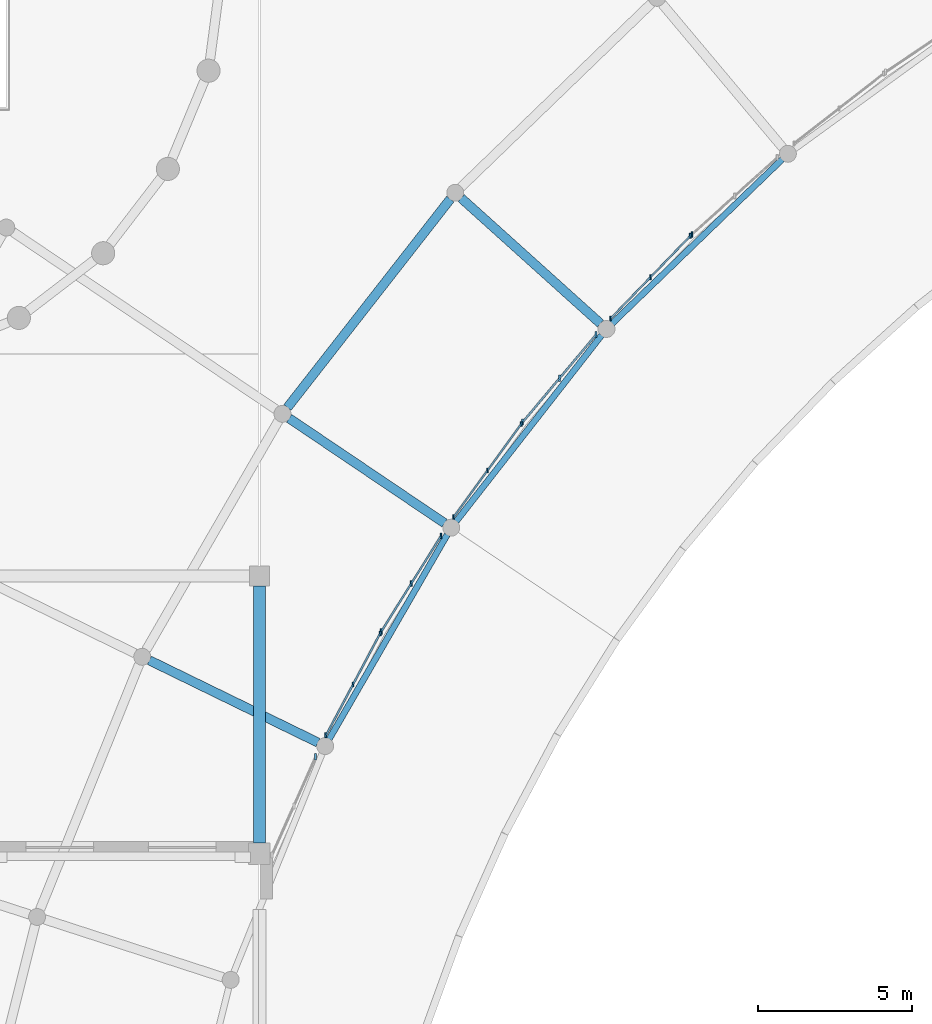
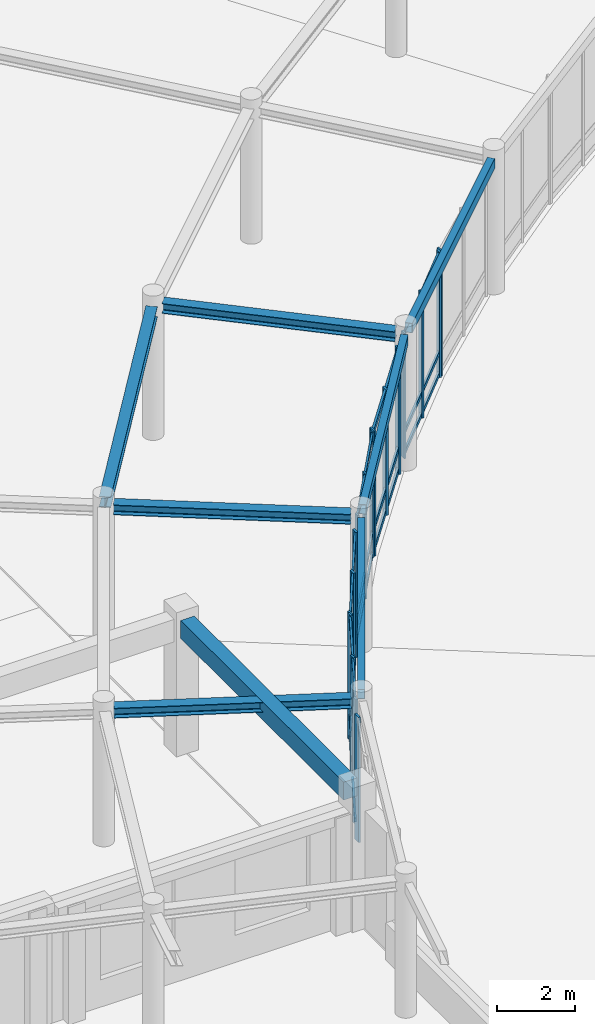
# One storey, part 8 of 62: 47 members, 8 beams, 7 elements without a shape of their own.
"""IFC4 building model written with IfcOpenShell, lengths in metres."""

from ifc_helpers import new_model, si_unit, direction, frame, origin, origin_2d, place, context, subcontext, project, spatial, rectangle, hollow_rectangle, i_section, extrude, material, material_profile, profile_set, type_object, element, aggregate, save


model = new_model("IFC4")

# Units and contexts
model_context = context("Model", 3, precision=1e-05, world=origin(), true_north=direction((0.0, 1.0)))
body_context = subcontext(model_context, "Body", "Model", "MODEL_VIEW")
ifc_project = project(units=[si_unit("LENGTHUNIT", "METRE"), si_unit("AREAUNIT", "SQUARE_METRE"), si_unit("VOLUMEUNIT", "CUBIC_METRE"), si_unit("PLANEANGLEUNIT", "RADIAN"), si_unit("MASSUNIT", "GRAM", prefix="KILO")], contexts=[model_context])

# Site, building, storey
site_placement = place(None, origin())
site = spatial("IfcSite", under=ifc_project, at=site_placement, CompositionType="ELEMENT")
building_placement = place(site_placement, origin())
building = spatial("IfcBuilding", under=site, at=building_placement, Name="Clarverna Civic Hall", CompositionType="ELEMENT")
storey_placement = place(building_placement, frame((0.0, 0.0, 5.10009765625)))
storey = spatial("IfcBuildingStorey", under=building, at=storey_placement, Name="L01", CompositionType="ELEMENT", Elevation=5.10009765625)

# Beams
ifc_material_1 = material(Name="Concrete C35/45", Category="concrete")
ifc_material_profile_1 = material_profile(ifc_material_1, rectangle(XDim=0.39990234375, YDim=0.56005859375, at=origin_2d()), Name="RC 400x560")
ifc_profile_set_1 = profile_set([ifc_material_profile_1], Name="Concrete C35/45")
beam_type_1 = type_object("IfcBeamType", Name="B-SP4", PredefinedType="SPANDREL", material=ifc_profile_set_1)
beam_1_placement = place(storey_placement, frame((97.199951171875, 30.550048828125, 3.93994140625), z_axis=(0.0, 1.0, 0.0), x_axis=(-1.0, 0.0, 0.0)))
element("IfcBeam", 1, at=beam_1_placement, inside=storey, type_object=beam_type_1, Name="B-SP4-076", PredefinedType="SPANDREL", context=body_context, shape_type="SweptSolid", body=[
    extrude(rectangle(XDim=0.39990234375, YDim=0.56005859375, at=origin_2d()), origin(), (0.0, 0.0, 1.0), 8.324951171875),
])
ifc_material_2 = material(Name="Steel S355", Category="steel")
ifc_material_profile_2 = material_profile(ifc_material_2, hollow_rectangle(XDim=0.199951171875, YDim=0.300048828125, WallThickness=0.010009765625, at=origin_2d()), Name="RHS 300x200x10.0")
ifc_profile_set_2 = profile_set([ifc_material_profile_2], Name="Steel S355")
beam_type_2 = type_object("IfcBeamType", Name="B-ST15", PredefinedType="SPANDREL", material=ifc_profile_set_2)
beam_2_placement = place(storey_placement, frame((114.1455078125, 52.709716796875, 4.10986328125), z_axis=(-0.719325075753, -0.69467361789, 0.0), x_axis=(0.69467361789, -0.719325075753, 0.0)))
element("IfcBeam", 2, at=beam_2_placement, inside=storey, type_object=beam_type_2, Name="B-ST15-014", PredefinedType="SPANDREL", context=body_context, shape_type="SweptSolid", body=[
    extrude(hollow_rectangle(XDim=0.199951171875, YDim=0.300048828125, WallThickness=0.010009765625, at=origin_2d()), origin(), (0.0, 0.0, 1.0), 7.655517578125),
])
for number, where, z_axis, x_axis, name in (
    (3, (108.29150390625, 47.006103515625, 4.10986328125), (-0.615645898639, -0.7880229232, 0.0), (0.7880229232, -0.615645898639, 0.0), "B-ST15-015"),
    (4, (103.288330078125, 40.54345703125, 4.06982421875), (-0.500001278231, -0.866024665796, 0.0), (0.866024665796, -0.500001278231, 0.0), "B-ST15-016"),
):
    element("IfcBeam", number, at=place(storey_placement, frame(where, z_axis=z_axis, x_axis=x_axis)), inside=storey, type_object=beam_type_2, Name=name, PredefinedType="SPANDREL", context=body_context, shape_type="SweptSolid", body=[
        extrude(hollow_rectangle(XDim=0.199951171875, YDim=0.300048828125, WallThickness=0.010009765625, at=origin_2d()), origin(), (0.0, 0.0, 1.0), 7.6552734375),
    ])
ifc_material_profile_3 = material_profile(ifc_material_2, i_section(OverallWidth=0.300048828125, OverallDepth=0.330078125, WebThickness=0.009521484375, FlangeThickness=0.0166015625, FilletRadius=0.027099609375, at=origin_2d()), Name="HEA 340")
ifc_profile_set_3 = profile_set([ifc_material_profile_3], Name="Steel S355")
beam_type_3 = type_object("IfcBeamType", Name="B-ST8", PredefinedType="BEAM", material=ifc_profile_set_3)
beam_3_placement = place(storey_placement, frame((103.386962890625, 51.42236328125, 4.014892578125), z_axis=(-0.615665586545, -0.788007541553, 0.0), x_axis=(0.788007541553, -0.615665586545, 0.0)))
element("IfcBeam", 5, at=beam_3_placement, inside=storey, type_object=beam_type_3, Name="B-ST8-063", PredefinedType="BEAM", context=body_context, shape_type="SweptSolid", body=[
    extrude(i_section(OverallWidth=0.300048828125, OverallDepth=0.330078125, WebThickness=0.009521484375, FlangeThickness=0.0166015625, FilletRadius=0.027099609375, at=origin_2d()), origin(), (0.0, 0.0, 1.0), 8.576171875),
])
ifc_material_profile_4 = material_profile(ifc_material_2, i_section(OverallWidth=0.300048828125, OverallDepth=0.31005859375, WebThickness=0.009033203125, FlangeThickness=0.015380859375, FilletRadius=0.027099609375, at=origin_2d()), Name="HEA 320")
ifc_profile_set_4 = profile_set([ifc_material_profile_4], Name="Steel S355")
beam_type_4 = type_object("IfcBeamType", Name="B-ST9", PredefinedType="BEAM", material=ifc_profile_set_4)
for number, where, z_axis, x_axis, name in (
    (6, (108.258544921875, 47.385009765625, 4.06494140625), (-0.74314038569, 0.66913553721, 0.0), (-0.66913553721, -0.74314038569, 0.0), "B-ST9-066"),
    (7, (103.202880859375, 40.9140625, 4.06494140625), (-0.829035763851, 0.559195584975, 0.0), (-0.559195584975, -0.829035763851, 0.0), "B-ST9-067"),
):
    element("IfcBeam", number, at=place(storey_placement, frame(where, z_axis=z_axis, x_axis=x_axis)), inside=storey, type_object=beam_type_4, Name=name, PredefinedType="BEAM", context=body_context, shape_type="SweptSolid", body=[
        extrude(i_section(OverallWidth=0.300048828125, OverallDepth=0.31005859375, WebThickness=0.009033203125, FlangeThickness=0.015380859375, FilletRadius=0.027099609375, at=origin_2d()), origin(), (0.0, 0.0, 1.0), 6.080078125),
    ])
beam_4_placement = place(storey_placement, frame((99.096923828125, 33.802490234375, 4.06494140625), z_axis=(-0.898792757328, 0.438373789561, 0.0), x_axis=(-0.438373789561, -0.898792757328, 0.0)))
element("IfcBeam", 8, at=beam_4_placement, inside=storey, type_object=beam_type_4, Name="B-ST9-069", PredefinedType="BEAM", context=body_context, shape_type="SweptSolid", body=[
    extrude(i_section(OverallWidth=0.300048828125, OverallDepth=0.31005859375, WebThickness=0.009033203125, FlangeThickness=0.015380859375, FilletRadius=0.027099609375, at=origin_2d()), origin(), (0.0, 0.0, 1.0), 6.079833984375),
])

# Curtain wall, member
ifc_material_3 = material(Name="Anodised Bronze Architectural Aluminium", Category="aluminium")
curtain_wall_type = type_object("IfcCurtainWallType", Name="CW-03", PredefinedType="USERDEFINED", material=ifc_material_3)
curtain_wall_1_placement = place(storey_placement, origin())
curtain_wall_1 = element("IfcCurtainWall", 9, at=curtain_wall_1_placement, inside=storey, type_object=curtain_wall_type, Name="CW-03-041", ObjectType="UNITISED CURTAIN WALL", PredefinedType="USERDEFINED")
ifc_material_profile_5 = material_profile(ifc_material_3, rectangle(XDim=0.06005859375, YDim=0.179931640625, at=origin_2d()), Name="BRONZE 60x180")
ifc_profile_set_5 = profile_set([ifc_material_profile_5], Name="Anodised Bronze Architectural Aluminium")
member_type_1 = type_object("IfcMemberType", Name="CWM-01", PredefinedType="MULLION", material=ifc_profile_set_5)
member_1_placement = place(storey_placement, frame((111.223876953125, 50.279296875, 0.0), z_axis=(0.0, 0.0, 1.0), x_axis=(1.0, 0.0, 0.0)))
member_1 = element("IfcMember", 10, at=member_1_placement, type_object=member_type_1, Name="CWM-01-055", PredefinedType="MULLION", context=body_context, shape_type="SweptSolid", body=[
    extrude(rectangle(XDim=0.06005859375, YDim=0.179931640625, at=origin_2d()), origin(), (0.0, 0.0, 1.0), 3.909912109375),
])
aggregate(curtain_wall_1, [member_1])

# Curtain wall, members
curtain_wall_2_placement = place(storey_placement, origin())
curtain_wall_2 = element("IfcCurtainWall", 11, at=curtain_wall_2_placement, inside=storey, type_object=curtain_wall_type, Name="CW-03-045", ObjectType="UNITISED CURTAIN WALL", PredefinedType="USERDEFINED")
member_2_placement = place(storey_placement, frame((103.0859375, 40.500732421875, 0.0), z_axis=(0.0, 0.0, 1.0), x_axis=(1.0, 0.0, 0.0)))
member_2 = element("IfcMember", 12, at=member_2_placement, type_object=member_type_1, Name="CWM-01-056", PredefinedType="MULLION", context=body_context, shape_type="SweptSolid", body=[
    extrude(rectangle(XDim=0.06005859375, YDim=0.179931640625, at=origin_2d()), origin(), (0.0, 0.0, 1.0), 3.909912109375),
])
member_3_placement = place(storey_placement, frame((102.117919921875, 38.951416015625, 0.0), z_axis=(0.0, 0.0, 1.0), x_axis=(1.0, 0.0, 0.0)))
member_3 = element("IfcMember", 13, at=member_3_placement, type_object=member_type_1, Name="CWM-01-057", PredefinedType="MULLION", context=body_context, shape_type="SweptSolid", body=[
    extrude(rectangle(XDim=0.06005859375, YDim=0.179931640625, at=origin_2d()), origin(), (0.0, 0.0, 1.0), 3.909912109375),
])
member_4_placement = place(storey_placement, frame((101.149658203125, 37.402099609375, 0.0), z_axis=(0.0, 0.0, 1.0), x_axis=(1.0, 0.0, 0.0)))
member_4 = element("IfcMember", 14, at=member_4_placement, type_object=member_type_1, Name="CWM-01-058", PredefinedType="MULLION", context=body_context, shape_type="SweptSolid", body=[
    extrude(rectangle(XDim=0.06005859375, YDim=0.179931640625, at=origin_2d()), origin(), (0.0, 0.0, 1.0), 3.909912109375),
])

curtain_wall_3_placement = place(storey_placement, origin())
curtain_wall_3 = element("IfcCurtainWall", 15, at=curtain_wall_3_placement, inside=storey, type_object=curtain_wall_type, Name="CW-03-042", ObjectType="UNITISED CURTAIN WALL", PredefinedType="USERDEFINED")
ifc_material_profile_6 = material_profile(ifc_material_3, rectangle(XDim=0.06005859375, YDim=0.159912109375, at=origin_2d()), Name="BRONZE 60x160")
ifc_profile_set_6 = profile_set([ifc_material_profile_6], Name="Anodised Bronze Architectural Aluminium")
member_type_2 = type_object("IfcMemberType", Name="CWM-02", PredefinedType="MULLION", material=ifc_profile_set_6)
member_5_placement = place(storey_placement, frame((111.16943359375, 50.226806640625, 0.0), z_axis=(0.0, 0.0, 1.0), x_axis=(1.0, 0.0, 0.0)))
member_5 = element("IfcMember", 16, at=member_5_placement, type_object=member_type_2, Name="CWM-02-065", PredefinedType="MULLION", context=body_context, shape_type="SweptSolid", body=[
    extrude(rectangle(XDim=0.06005859375, YDim=0.159912109375, at=origin_2d()), origin(), (0.0, 0.0, 1.0), 3.909912109375),
])
member_6_placement = place(storey_placement, frame((109.876708984375, 48.888427734375, 0.0), z_axis=(0.0, 0.0, 1.0), x_axis=(1.0, 0.0, 0.0)))
member_6 = element("IfcMember", 17, at=member_6_placement, type_object=member_type_2, Name="CWM-02-066", PredefinedType="MULLION", context=body_context, shape_type="SweptSolid", body=[
    extrude(rectangle(XDim=0.06005859375, YDim=0.159912109375, at=origin_2d()), origin(), (0.0, 0.0, 1.0), 3.909912109375),
])
member_7_placement = place(storey_placement, frame((108.583984375, 47.5498046875, 0.0), z_axis=(0.0, 0.0, 1.0), x_axis=(1.0, 0.0, 0.0)))
member_7 = element("IfcMember", 18, at=member_7_placement, type_object=member_type_2, Name="CWM-02-067", PredefinedType="MULLION", context=body_context, shape_type="SweptSolid", body=[
    extrude(rectangle(XDim=0.06005859375, YDim=0.159912109375, at=origin_2d()), origin(), (0.0, 0.0, 1.0), 3.909912109375),
])

curtain_wall_4_placement = place(storey_placement, origin())
curtain_wall_4 = element("IfcCurtainWall", 19, at=curtain_wall_4_placement, inside=storey, type_object=curtain_wall_type, Name="CW-03-046", ObjectType="UNITISED CURTAIN WALL", PredefinedType="USERDEFINED")
member_8_placement = place(storey_placement, frame((101.11181640625, 37.336669921875, 0.0), z_axis=(0.0, 0.0, 1.0), x_axis=(1.0, 0.0, 0.0)))
member_8 = element("IfcMember", 20, at=member_8_placement, type_object=member_type_2, Name="CWM-02-068", PredefinedType="MULLION", context=body_context, shape_type="SweptSolid", body=[
    extrude(rectangle(XDim=0.06005859375, YDim=0.159912109375, at=origin_2d()), origin(), (0.0, 0.0, 1.0), 3.909912109375),
])
member_9_placement = place(storey_placement, frame((100.2333984375, 35.6845703125, 0.0), z_axis=(0.0, 0.0, 1.0), x_axis=(1.0, 0.0, 0.0)))
member_9 = element("IfcMember", 21, at=member_9_placement, type_object=member_type_2, Name="CWM-02-069", PredefinedType="MULLION", context=body_context, shape_type="SweptSolid", body=[
    extrude(rectangle(XDim=0.06005859375, YDim=0.159912109375, at=origin_2d()), origin(), (0.0, 0.0, 1.0), 3.909912109375),
])
member_10_placement = place(storey_placement, frame((99.355224609375, 34.03271484375, 0.0), z_axis=(0.0, 0.0, 1.0), x_axis=(1.0, 0.0, 0.0)))
member_10 = element("IfcMember", 22, at=member_10_placement, type_object=member_type_2, Name="CWM-02-070", PredefinedType="MULLION", context=body_context, shape_type="SweptSolid", body=[
    extrude(rectangle(XDim=0.06005859375, YDim=0.159912109375, at=origin_2d()), origin(), (0.0, 0.0, 1.0), 3.909912109375),
])

curtain_wall_5_placement = place(storey_placement, origin())
curtain_wall_5 = element("IfcCurtainWall", 23, at=curtain_wall_5_placement, inside=storey, type_object=curtain_wall_type, Name="CW-03-043", ObjectType="UNITISED CURTAIN WALL", PredefinedType="USERDEFINED")
ifc_material_profile_7 = material_profile(ifc_material_3, rectangle(XDim=0.06494140625, YDim=0.199951171875, at=origin_2d()), Name="BRONZE 65x200")
ifc_profile_set_7 = profile_set([ifc_material_profile_7], Name="Anodised Bronze Architectural Aluminium")
member_type_3 = type_object("IfcMemberType", Name="CWM-03", PredefinedType="MULLION", material=ifc_profile_set_7)
member_11_placement = place(storey_placement, frame((108.115478515625, 47.028076171875, 0.0), z_axis=(0.0, 0.0, 1.0), x_axis=(1.0, 0.0, 0.0)))
member_11 = element("IfcMember", 24, at=member_11_placement, type_object=member_type_3, Name="CWM-03-053", PredefinedType="MULLION", context=body_context, shape_type="SweptSolid", body=[
    extrude(rectangle(XDim=0.06494140625, YDim=0.199951171875, at=origin_2d()), origin(), (0.0, 0.0, 1.0), 3.909912109375),
])
member_12_placement = place(storey_placement, frame((106.926025390625, 45.610595703125, 0.0), z_axis=(0.0, 0.0, 1.0), x_axis=(1.0, 0.0, 0.0)))
member_12 = element("IfcMember", 25, at=member_12_placement, type_object=member_type_3, Name="CWM-03-054", PredefinedType="MULLION", context=body_context, shape_type="SweptSolid", body=[
    extrude(rectangle(XDim=0.06494140625, YDim=0.199951171875, at=origin_2d()), origin(), (0.0, 0.0, 1.0), 3.909912109375),
])
member_13_placement = place(storey_placement, frame((105.736572265625, 44.193115234375, 0.0), z_axis=(0.0, 0.0, 1.0), x_axis=(1.0, 0.0, 0.0)))
member_13 = element("IfcMember", 26, at=member_13_placement, type_object=member_type_3, Name="CWM-03-055", PredefinedType="MULLION", context=body_context, shape_type="SweptSolid", body=[
    extrude(rectangle(XDim=0.06494140625, YDim=0.199951171875, at=origin_2d()), origin(), (0.0, 0.0, 1.0), 3.909912109375),
])

# Curtain wall, member
curtain_wall_6_placement = place(storey_placement, origin())
curtain_wall_6 = element("IfcCurtainWall", 27, at=curtain_wall_6_placement, inside=storey, type_object=curtain_wall_type, Name="CW-03-047", ObjectType="UNITISED CURTAIN WALL", PredefinedType="USERDEFINED")
member_14_placement = place(storey_placement, frame((99.023681640625, 33.343505859375, 0.0), z_axis=(0.0, 0.0, 1.0), x_axis=(1.0, 0.0, 0.0)))
member_14 = element("IfcMember", 28, at=member_14_placement, type_object=member_type_3, Name="CWM-03-056", PredefinedType="MULLION", context=body_context, shape_type="SweptSolid", body=[
    extrude(rectangle(XDim=0.06494140625, YDim=0.199951171875, at=origin_2d()), origin(), (0.0, 0.0, 1.0), 3.909912109375),
])
aggregate(curtain_wall_6, [member_14])

# Curtain wall, members
curtain_wall_7_placement = place(storey_placement, origin())
curtain_wall_7 = element("IfcCurtainWall", 29, at=curtain_wall_7_placement, inside=storey, type_object=curtain_wall_type, Name="CW-03-044", ObjectType="UNITISED CURTAIN WALL", PredefinedType="USERDEFINED")
ifc_material_profile_8 = material_profile(ifc_material_3, rectangle(XDim=0.054931640625, YDim=0.139892578125, at=origin_2d()), Name="BRONZE 55x140")
ifc_profile_set_8 = profile_set([ifc_material_profile_8], Name="Anodised Bronze Architectural Aluminium")
member_type_4 = type_object("IfcMemberType", Name="CWM-04", PredefinedType="MULLION", material=ifc_profile_set_8)
member_15_placement = place(storey_placement, frame((105.68994140625, 44.13330078125, 0.0), z_axis=(0.0, 0.0, 1.0), x_axis=(1.0, 0.0, 0.0)))
member_15 = element("IfcMember", 30, at=member_15_placement, type_object=member_type_4, Name="CWM-04-066", PredefinedType="MULLION", context=body_context, shape_type="SweptSolid", body=[
    extrude(rectangle(XDim=0.054931640625, YDim=0.139892578125, at=origin_2d()), origin(), (0.0, 0.0, 1.0), 3.909912109375),
])
member_16_placement = place(storey_placement, frame((104.591796875, 42.621826171875, 0.0), z_axis=(0.0, 0.0, 1.0), x_axis=(1.0, 0.0, 0.0)))
member_16 = element("IfcMember", 31, at=member_16_placement, type_object=member_type_4, Name="CWM-04-067", PredefinedType="MULLION", context=body_context, shape_type="SweptSolid", body=[
    extrude(rectangle(XDim=0.054931640625, YDim=0.139892578125, at=origin_2d()), origin(), (0.0, 0.0, 1.0), 3.909912109375),
])
member_17_placement = place(storey_placement, frame((103.49365234375, 41.1103515625, 0.0), z_axis=(0.0, 0.0, 1.0), x_axis=(1.0, 0.0, 0.0)))
member_17 = element("IfcMember", 32, at=member_17_placement, type_object=member_type_4, Name="CWM-04-068", PredefinedType="MULLION", context=body_context, shape_type="SweptSolid", body=[
    extrude(rectangle(XDim=0.054931640625, YDim=0.139892578125, at=origin_2d()), origin(), (0.0, 0.0, 1.0), 3.909912109375),
])

# Member
ifc_material_profile_9 = material_profile(ifc_material_3, rectangle(XDim=0.06005859375, YDim=0.14990234375, at=origin_2d()), Name="BRONZE 60x150")
ifc_profile_set_9 = profile_set([ifc_material_profile_9], Name="Anodised Bronze Architectural Aluminium")
member_type_5 = type_object("IfcMemberType", Name="CWT-01", PredefinedType="USERDEFINED", material=ifc_profile_set_9)
member_18_placement = place(storey_placement, frame((103.077880859375, 40.488037109375, 0.094970703125), z_axis=(-0.529876807902, -0.848074624339, 0.0), x_axis=(0.848074624339, -0.529876807902, 0.0)))
member_18 = element("IfcMember", 33, at=member_18_placement, type_object=member_type_5, Name="CWT-01-115", ObjectType="TRANSOM", PredefinedType="USERDEFINED", context=body_context, shape_type="SweptSolid", body=[
    extrude(rectangle(XDim=0.06005859375, YDim=0.14990234375, at=origin_2d()), origin(), (0.0, 0.0, 1.0), 1.796875),
])

member_19_placement = place(storey_placement, frame((103.077880859375, 40.488037109375, 0.75), z_axis=(-0.529876807902, -0.848074624339, 0.0), x_axis=(0.848074624339, -0.529876807902, 0.0)))
member_19 = element("IfcMember", 34, at=member_19_placement, type_object=member_type_5, Name="CWT-01-116", ObjectType="TRANSOM", PredefinedType="USERDEFINED", context=body_context, shape_type="SweptSolid", body=[
    extrude(rectangle(XDim=0.06005859375, YDim=0.14990234375, at=origin_2d()), origin(), (0.0, 0.0, 1.0), 1.796875),
])

member_20_placement = place(storey_placement, frame((103.077880859375, 40.488037109375, 3.81494140625), z_axis=(-0.529876807902, -0.848074624339, 0.0), x_axis=(0.848074624339, -0.529876807902, 0.0)))
member_20 = element("IfcMember", 35, at=member_20_placement, type_object=member_type_5, Name="CWT-01-117", ObjectType="TRANSOM", PredefinedType="USERDEFINED", context=body_context, shape_type="SweptSolid", body=[
    extrude(rectangle(XDim=0.06005859375, YDim=0.14990234375, at=origin_2d()), origin(), (0.0, 0.0, 1.0), 1.796875),
])

member_21_placement = place(storey_placement, frame((102.10986328125, 38.938720703125, 0.094970703125), z_axis=(-0.529876807902, -0.848074624339, 0.0), x_axis=(0.848074624339, -0.529876807902, 0.0)))
member_21 = element("IfcMember", 36, at=member_21_placement, type_object=member_type_5, Name="CWT-01-118", ObjectType="TRANSOM", PredefinedType="USERDEFINED", context=body_context, shape_type="SweptSolid", body=[
    extrude(rectangle(XDim=0.06005859375, YDim=0.14990234375, at=origin_2d()), origin(), (0.0, 0.0, 1.0), 1.796875),
])

member_22_placement = place(storey_placement, frame((102.10986328125, 38.938720703125, 0.75), z_axis=(-0.529876807902, -0.848074624339, 0.0), x_axis=(0.848074624339, -0.529876807902, 0.0)))
member_22 = element("IfcMember", 37, at=member_22_placement, type_object=member_type_5, Name="CWT-01-119", ObjectType="TRANSOM", PredefinedType="USERDEFINED", context=body_context, shape_type="SweptSolid", body=[
    extrude(rectangle(XDim=0.06005859375, YDim=0.14990234375, at=origin_2d()), origin(), (0.0, 0.0, 1.0), 1.796875),
])

member_23_placement = place(storey_placement, frame((102.10986328125, 38.938720703125, 3.81494140625), z_axis=(-0.529876807902, -0.848074624339, 0.0), x_axis=(0.848074624339, -0.529876807902, 0.0)))
member_23 = element("IfcMember", 38, at=member_23_placement, type_object=member_type_5, Name="CWT-01-120", ObjectType="TRANSOM", PredefinedType="USERDEFINED", context=body_context, shape_type="SweptSolid", body=[
    extrude(rectangle(XDim=0.06005859375, YDim=0.14990234375, at=origin_2d()), origin(), (0.0, 0.0, 1.0), 1.796875),
])

aggregate(curtain_wall_2, [member_2, member_3, member_4, member_18, member_19, member_20, member_21, member_22, member_23])

ifc_material_profile_10 = material_profile(ifc_material_3, rectangle(XDim=0.06005859375, YDim=0.1298828125, at=origin_2d()), Name="BRONZE 60x130")
ifc_profile_set_10 = profile_set([ifc_material_profile_10], Name="Anodised Bronze Architectural Aluminium")
member_type_6 = type_object("IfcMemberType", Name="CWT-02", PredefinedType="USERDEFINED", material=ifc_profile_set_10)
member_24_placement = place(storey_placement, frame((111.158935546875, 50.216064453125, 0.094970703125), z_axis=(-0.694663528567, -0.719334819176, 0.0), x_axis=(0.719334819176, -0.694663528567, 0.0)))
member_24 = element("IfcMember", 39, at=member_24_placement, type_object=member_type_6, Name="CWT-02-133", ObjectType="TRANSOM", PredefinedType="USERDEFINED", context=body_context, shape_type="SweptSolid", body=[
    extrude(rectangle(XDim=0.06005859375, YDim=0.1298828125, at=origin_2d()), origin(), (0.0, 0.0, 1.0), 1.830810546875),
])

member_25_placement = place(storey_placement, frame((111.158935546875, 50.216064453125, 0.75), z_axis=(-0.694663528567, -0.719334819176, 0.0), x_axis=(0.719334819176, -0.694663528567, 0.0)))
member_25 = element("IfcMember", 40, at=member_25_placement, type_object=member_type_6, Name="CWT-02-134", ObjectType="TRANSOM", PredefinedType="USERDEFINED", context=body_context, shape_type="SweptSolid", body=[
    extrude(rectangle(XDim=0.06005859375, YDim=0.1298828125, at=origin_2d()), origin(), (0.0, 0.0, 1.0), 1.830810546875),
])

member_26_placement = place(storey_placement, frame((111.158935546875, 50.216064453125, 3.81494140625), z_axis=(-0.694663528567, -0.719334819176, 0.0), x_axis=(0.719334819176, -0.694663528567, 0.0)))
member_26 = element("IfcMember", 41, at=member_26_placement, type_object=member_type_6, Name="CWT-02-135", ObjectType="TRANSOM", PredefinedType="USERDEFINED", context=body_context, shape_type="SweptSolid", body=[
    extrude(rectangle(XDim=0.06005859375, YDim=0.1298828125, at=origin_2d()), origin(), (0.0, 0.0, 1.0), 1.830810546875),
])

member_27_placement = place(storey_placement, frame((109.8662109375, 48.877685546875, 0.094970703125), z_axis=(-0.694596893401, -0.719399162967, 0.0), x_axis=(0.719399162967, -0.694596893401, 0.0)))
member_27 = element("IfcMember", 42, at=member_27_placement, type_object=member_type_6, Name="CWT-02-136", ObjectType="TRANSOM", PredefinedType="USERDEFINED", context=body_context, shape_type="SweptSolid", body=[
    extrude(rectangle(XDim=0.06005859375, YDim=0.1298828125, at=origin_2d()), origin(), (0.0, 0.0, 1.0), 1.830810546875),
])

member_28_placement = place(storey_placement, frame((109.8662109375, 48.877685546875, 0.75), z_axis=(-0.694596893401, -0.719399162967, 0.0), x_axis=(0.719399162967, -0.694596893401, 0.0)))
member_28 = element("IfcMember", 43, at=member_28_placement, type_object=member_type_6, Name="CWT-02-137", ObjectType="TRANSOM", PredefinedType="USERDEFINED", context=body_context, shape_type="SweptSolid", body=[
    extrude(rectangle(XDim=0.06005859375, YDim=0.1298828125, at=origin_2d()), origin(), (0.0, 0.0, 1.0), 1.830810546875),
])

member_29_placement = place(storey_placement, frame((109.8662109375, 48.877685546875, 3.81494140625), z_axis=(-0.694596893401, -0.719399162967, 0.0), x_axis=(0.719399162967, -0.694596893401, 0.0)))
member_29 = element("IfcMember", 44, at=member_29_placement, type_object=member_type_6, Name="CWT-02-138", ObjectType="TRANSOM", PredefinedType="USERDEFINED", context=body_context, shape_type="SweptSolid", body=[
    extrude(rectangle(XDim=0.06005859375, YDim=0.1298828125, at=origin_2d()), origin(), (0.0, 0.0, 1.0), 1.830810546875),
])

aggregate(curtain_wall_3, [member_5, member_6, member_7, member_24, member_25, member_26, member_27, member_28, member_29])

member_30_placement = place(storey_placement, frame((101.104736328125, 37.323486328125, 0.094970703125), z_axis=(-0.469404046966, -0.882983488346, 0.0), x_axis=(0.882983488346, -0.469404046966, 0.0)))
member_30 = element("IfcMember", 45, at=member_30_placement, type_object=member_type_6, Name="CWT-02-139", ObjectType="TRANSOM", PredefinedType="USERDEFINED", context=body_context, shape_type="SweptSolid", body=[
    extrude(rectangle(XDim=0.06005859375, YDim=0.1298828125, at=origin_2d()), origin(), (0.0, 0.0, 1.0), 1.841064453125),
])

member_31_placement = place(storey_placement, frame((101.104736328125, 37.323486328125, 0.75), z_axis=(-0.469404046966, -0.882983488346, 0.0), x_axis=(0.882983488346, -0.469404046966, 0.0)))
member_31 = element("IfcMember", 46, at=member_31_placement, type_object=member_type_6, Name="CWT-02-140", ObjectType="TRANSOM", PredefinedType="USERDEFINED", context=body_context, shape_type="SweptSolid", body=[
    extrude(rectangle(XDim=0.06005859375, YDim=0.1298828125, at=origin_2d()), origin(), (0.0, 0.0, 1.0), 1.841064453125),
])

member_32_placement = place(storey_placement, frame((101.104736328125, 37.323486328125, 3.81494140625), z_axis=(-0.469404046966, -0.882983488346, 0.0), x_axis=(0.882983488346, -0.469404046966, 0.0)))
member_32 = element("IfcMember", 47, at=member_32_placement, type_object=member_type_6, Name="CWT-02-141", ObjectType="TRANSOM", PredefinedType="USERDEFINED", context=body_context, shape_type="SweptSolid", body=[
    extrude(rectangle(XDim=0.06005859375, YDim=0.1298828125, at=origin_2d()), origin(), (0.0, 0.0, 1.0), 1.841064453125),
])

member_33_placement = place(storey_placement, frame((100.2265625, 35.67138671875, 0.094970703125), z_axis=(-0.469459012018, -0.882954266106, 0.0), x_axis=(0.882954266106, -0.469459012018, 0.0)))
member_33 = element("IfcMember", 48, at=member_33_placement, type_object=member_type_6, Name="CWT-02-142", ObjectType="TRANSOM", PredefinedType="USERDEFINED", context=body_context, shape_type="SweptSolid", body=[
    extrude(rectangle(XDim=0.06005859375, YDim=0.1298828125, at=origin_2d()), origin(), (0.0, 0.0, 1.0), 1.841064453125),
])

member_34_placement = place(storey_placement, frame((100.2265625, 35.67138671875, 0.75), z_axis=(-0.469459012018, -0.882954266106, 0.0), x_axis=(0.882954266106, -0.469459012018, 0.0)))
member_34 = element("IfcMember", 49, at=member_34_placement, type_object=member_type_6, Name="CWT-02-143", ObjectType="TRANSOM", PredefinedType="USERDEFINED", context=body_context, shape_type="SweptSolid", body=[
    extrude(rectangle(XDim=0.06005859375, YDim=0.1298828125, at=origin_2d()), origin(), (0.0, 0.0, 1.0), 1.841064453125),
])

member_35_placement = place(storey_placement, frame((100.2265625, 35.67138671875, 3.81494140625), z_axis=(-0.469459012018, -0.882954266106, 0.0), x_axis=(0.882954266106, -0.469459012018, 0.0)))
member_35 = element("IfcMember", 50, at=member_35_placement, type_object=member_type_6, Name="CWT-02-144", ObjectType="TRANSOM", PredefinedType="USERDEFINED", context=body_context, shape_type="SweptSolid", body=[
    extrude(rectangle(XDim=0.06005859375, YDim=0.1298828125, at=origin_2d()), origin(), (0.0, 0.0, 1.0), 1.841064453125),
])

aggregate(curtain_wall_4, [member_8, member_9, member_10, member_30, member_31, member_32, member_33, member_34, member_35])

ifc_material_profile_11 = material_profile(ifc_material_3, rectangle(XDim=0.06494140625, YDim=0.169921875, at=origin_2d()), Name="BRONZE 65x170")
ifc_profile_set_11 = profile_set([ifc_material_profile_11], Name="Anodised Bronze Architectural Aluminium")
member_type_7 = type_object("IfcMemberType", Name="CWT-03", PredefinedType="USERDEFINED", material=ifc_profile_set_11)
member_36_placement = place(storey_placement, frame((108.10595703125, 47.0166015625, 0.094970703125), z_axis=(-0.642792560393, -0.766040288956, 0.0), x_axis=(0.766040288956, -0.642792560393, 0.0)))
member_36 = element("IfcMember", 51, at=member_36_placement, type_object=member_type_7, Name="CWT-03-109", ObjectType="TRANSOM", PredefinedType="USERDEFINED", context=body_context, shape_type="SweptSolid", body=[
    extrude(rectangle(XDim=0.06494140625, YDim=0.169921875, at=origin_2d()), origin(), (0.0, 0.0, 1.0), 1.820556640625),
])

member_37_placement = place(storey_placement, frame((108.10595703125, 47.0166015625, 0.75), z_axis=(-0.642792560393, -0.766040288956, 0.0), x_axis=(0.766040288956, -0.642792560393, 0.0)))
member_37 = element("IfcMember", 52, at=member_37_placement, type_object=member_type_7, Name="CWT-03-110", ObjectType="TRANSOM", PredefinedType="USERDEFINED", context=body_context, shape_type="SweptSolid", body=[
    extrude(rectangle(XDim=0.06494140625, YDim=0.169921875, at=origin_2d()), origin(), (0.0, 0.0, 1.0), 1.820556640625),
])

member_38_placement = place(storey_placement, frame((108.10595703125, 47.0166015625, 3.81494140625), z_axis=(-0.642792560393, -0.766040288956, 0.0), x_axis=(0.766040288956, -0.642792560393, 0.0)))
member_38 = element("IfcMember", 53, at=member_38_placement, type_object=member_type_7, Name="CWT-03-111", ObjectType="TRANSOM", PredefinedType="USERDEFINED", context=body_context, shape_type="SweptSolid", body=[
    extrude(rectangle(XDim=0.06494140625, YDim=0.169921875, at=origin_2d()), origin(), (0.0, 0.0, 1.0), 1.820556640625),
])

member_39_placement = place(storey_placement, frame((106.91650390625, 45.59912109375, 0.094970703125), z_axis=(-0.64287124875, -0.76597425383, 0.0), x_axis=(0.76597425383, -0.64287124875, 0.0)))
member_39 = element("IfcMember", 54, at=member_39_placement, type_object=member_type_7, Name="CWT-03-112", ObjectType="TRANSOM", PredefinedType="USERDEFINED", context=body_context, shape_type="SweptSolid", body=[
    extrude(rectangle(XDim=0.06494140625, YDim=0.169921875, at=origin_2d()), origin(), (0.0, 0.0, 1.0), 1.820556640625),
])

member_40_placement = place(storey_placement, frame((106.91650390625, 45.59912109375, 0.75), z_axis=(-0.64287124875, -0.76597425383, 0.0), x_axis=(0.76597425383, -0.64287124875, 0.0)))
member_40 = element("IfcMember", 55, at=member_40_placement, type_object=member_type_7, Name="CWT-03-113", ObjectType="TRANSOM", PredefinedType="USERDEFINED", context=body_context, shape_type="SweptSolid", body=[
    extrude(rectangle(XDim=0.06494140625, YDim=0.169921875, at=origin_2d()), origin(), (0.0, 0.0, 1.0), 1.820556640625),
])

member_41_placement = place(storey_placement, frame((106.91650390625, 45.59912109375, 3.81494140625), z_axis=(-0.64287124875, -0.76597425383, 0.0), x_axis=(0.76597425383, -0.64287124875, 0.0)))
member_41 = element("IfcMember", 56, at=member_41_placement, type_object=member_type_7, Name="CWT-03-114", ObjectType="TRANSOM", PredefinedType="USERDEFINED", context=body_context, shape_type="SweptSolid", body=[
    extrude(rectangle(XDim=0.06494140625, YDim=0.169921875, at=origin_2d()), origin(), (0.0, 0.0, 1.0), 1.820556640625),
])

aggregate(curtain_wall_5, [member_11, member_12, member_13, member_36, member_37, member_38, member_39, member_40, member_41])

ifc_material_profile_12 = material_profile(ifc_material_3, rectangle(XDim=0.054931640625, YDim=0.110107421875, at=origin_2d()), Name="BRONZE 55x110")
ifc_profile_set_12 = profile_set([ifc_material_profile_12], Name="Anodised Bronze Architectural Aluminium")
member_type_8 = type_object("IfcMemberType", Name="CWT-04", PredefinedType="USERDEFINED", material=ifc_profile_set_12)
member_42_placement = place(storey_placement, frame((105.68115234375, 44.121337890625, 0.094970703125), z_axis=(-0.58777681408, -0.809023125028, 0.0), x_axis=(0.809023125028, -0.58777681408, 0.0)))
member_42 = element("IfcMember", 57, at=member_42_placement, type_object=member_type_8, Name="CWT-04-136", ObjectType="TRANSOM", PredefinedType="USERDEFINED", context=body_context, shape_type="SweptSolid", body=[
    extrude(rectangle(XDim=0.054931640625, YDim=0.110107421875, at=origin_2d()), origin(), (0.0, 0.0, 1.0), 1.83837890625),
])

member_43_placement = place(storey_placement, frame((105.68115234375, 44.121337890625, 0.75), z_axis=(-0.58777681408, -0.809023125028, 0.0), x_axis=(0.809023125028, -0.58777681408, 0.0)))
member_43 = element("IfcMember", 58, at=member_43_placement, type_object=member_type_8, Name="CWT-04-137", ObjectType="TRANSOM", PredefinedType="USERDEFINED", context=body_context, shape_type="SweptSolid", body=[
    extrude(rectangle(XDim=0.054931640625, YDim=0.110107421875, at=origin_2d()), origin(), (0.0, 0.0, 1.0), 1.83837890625),
])

member_44_placement = place(storey_placement, frame((105.68115234375, 44.121337890625, 3.81494140625), z_axis=(-0.58777681408, -0.809023125028, 0.0), x_axis=(0.809023125028, -0.58777681408, 0.0)))
member_44 = element("IfcMember", 59, at=member_44_placement, type_object=member_type_8, Name="CWT-04-138", ObjectType="TRANSOM", PredefinedType="USERDEFINED", context=body_context, shape_type="SweptSolid", body=[
    extrude(rectangle(XDim=0.054931640625, YDim=0.110107421875, at=origin_2d()), origin(), (0.0, 0.0, 1.0), 1.83837890625),
])

member_45_placement = place(storey_placement, frame((104.5830078125, 42.60986328125, 0.094970703125), z_axis=(-0.58777681408, -0.809023125028, 0.0), x_axis=(0.809023125028, -0.58777681408, 0.0)))
member_45 = element("IfcMember", 60, at=member_45_placement, type_object=member_type_8, Name="CWT-04-139", ObjectType="TRANSOM", PredefinedType="USERDEFINED", context=body_context, shape_type="SweptSolid", body=[
    extrude(rectangle(XDim=0.054931640625, YDim=0.110107421875, at=origin_2d()), origin(), (0.0, 0.0, 1.0), 1.83837890625),
])

member_46_placement = place(storey_placement, frame((104.5830078125, 42.60986328125, 0.75), z_axis=(-0.58777681408, -0.809023125028, 0.0), x_axis=(0.809023125028, -0.58777681408, 0.0)))
member_46 = element("IfcMember", 61, at=member_46_placement, type_object=member_type_8, Name="CWT-04-140", ObjectType="TRANSOM", PredefinedType="USERDEFINED", context=body_context, shape_type="SweptSolid", body=[
    extrude(rectangle(XDim=0.054931640625, YDim=0.110107421875, at=origin_2d()), origin(), (0.0, 0.0, 1.0), 1.83837890625),
])

member_47_placement = place(storey_placement, frame((104.5830078125, 42.60986328125, 3.81494140625), z_axis=(-0.58777681408, -0.809023125028, 0.0), x_axis=(0.809023125028, -0.58777681408, 0.0)))
member_47 = element("IfcMember", 62, at=member_47_placement, type_object=member_type_8, Name="CWT-04-141", ObjectType="TRANSOM", PredefinedType="USERDEFINED", context=body_context, shape_type="SweptSolid", body=[
    extrude(rectangle(XDim=0.054931640625, YDim=0.110107421875, at=origin_2d()), origin(), (0.0, 0.0, 1.0), 1.83837890625),
])

aggregate(curtain_wall_7, [member_15, member_16, member_17, member_42, member_43, member_44, member_45, member_46, member_47])

save(model, "model.ifc")
